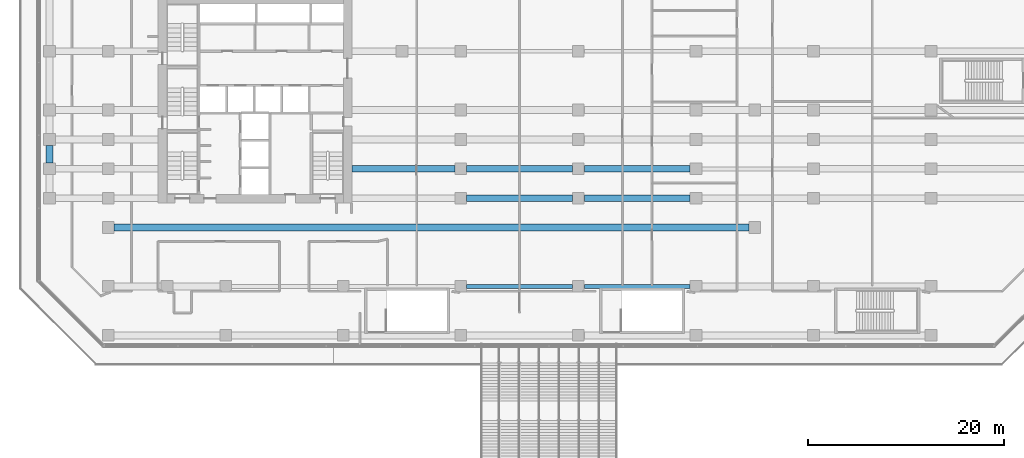
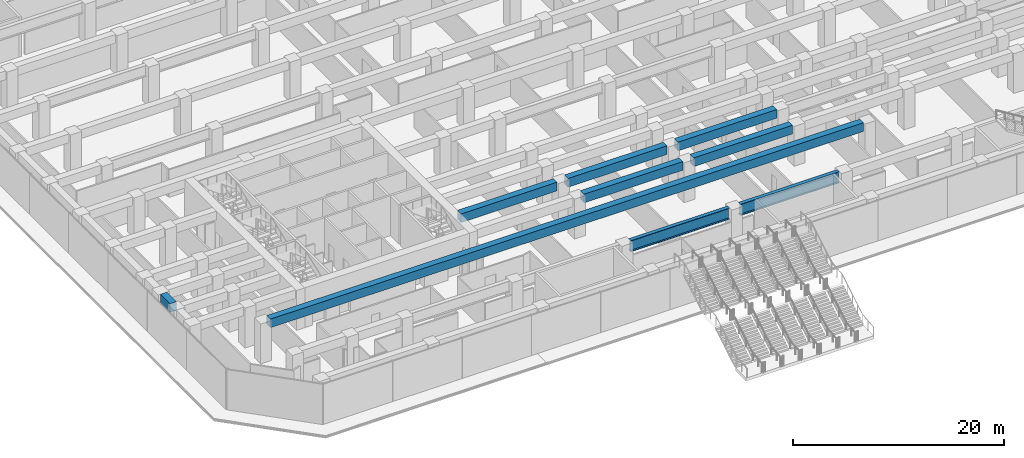
# One storey, part 6 of 40: 9 beams.
"""IFC4 building model written with IfcOpenShell, lengths in metres."""

from ifc_helpers import new_model, si_unit, direction, frame, origin, origin_2d, place, context, subcontext, project, spatial, rectangle, i_section, extrude, material, material_profile, profile_set, type_object, element, save


model = new_model("IFC4")

# Units and contexts
model_context = context("Model", 3, precision=1e-05, world=origin(), true_north=direction((0.0, 1.0)))
body_context = subcontext(model_context, "Body", "Model", "MODEL_VIEW")
ifc_project = project(units=[si_unit("LENGTHUNIT", "METRE"), si_unit("AREAUNIT", "SQUARE_METRE"), si_unit("VOLUMEUNIT", "CUBIC_METRE"), si_unit("PLANEANGLEUNIT", "RADIAN"), si_unit("MASSUNIT", "GRAM", prefix="KILO")], contexts=[model_context])

# Site, building, storey
site_placement = place(None, origin())
site = spatial("IfcSite", under=ifc_project, at=site_placement, CompositionType="ELEMENT")
building_placement = place(site_placement, origin())
building = spatial("IfcBuilding", under=site, at=building_placement, Name="Welwitschia Terrace Campus", CompositionType="ELEMENT")
storey_placement = place(building_placement, frame((0.0, 0.0, 6.0)))
storey = spatial("IfcBuildingStorey", under=building, at=storey_placement, Name="L01", CompositionType="ELEMENT", Elevation=6.0)

# Beams
ifc_material_1 = material(Name="Concrete C60/75", Category="concrete")
ifc_material_profile_1 = material_profile(ifc_material_1, rectangle(XDim=0.699951171875, YDim=1.0, at=origin_2d()))
ifc_profile_set_1 = profile_set([ifc_material_profile_1], Name="Concrete C60/75")
beam_type_1 = type_object("IfcBeamType", Name="Base block beam 700x1000", PredefinedType="BEAM", material=ifc_profile_set_1)
beam_1_placement = place(storey_placement, frame((0.6005859375, 2.0, 4.10009765625), z_axis=(1.0, 0.0, 0.0), x_axis=(0.0, 1.0, 0.0)))
element("IfcBeam", 1, at=beam_1_placement, inside=storey, type_object=beam_type_1, Name="Beam BB1", PredefinedType="BEAM", context=body_context, shape_type="SweptSolid", body=[
    extrude(rectangle(XDim=0.699951171875, YDim=1.0, at=origin_2d()), origin(), (0.0, 0.0, 1.0), 64.798828125),
])
for number, where, z_axis, x_axis, name in (
    (2, (36.6005859375, 5.0, 4.10009765625), (1.0, 0.0, 0.0), (0.0, 1.0, 0.0), "Beam BB1"),
    (3, (48.6005859375, 5.0, 4.10009765625), (1.0, 0.0, 0.0), (0.0, 1.0, 0.0), "Beam BB1"),
):
    element("IfcBeam", number, at=place(storey_placement, frame(where, z_axis=z_axis, x_axis=x_axis)), inside=storey, type_object=beam_type_1, Name=name, PredefinedType="BEAM", context=body_context, shape_type="SweptSolid", body=[
        extrude(rectangle(XDim=0.699951171875, YDim=1.0, at=origin_2d()), origin(), (0.0, 0.0, 1.0), 10.798828125),
    ])
beam_2_placement = place(storey_placement, frame((24.89990234375, 8.0, 4.10009765625), z_axis=(1.0, 0.0, 0.0), x_axis=(0.0, 1.0, 0.0)))
element("IfcBeam", 4, at=beam_2_placement, inside=storey, type_object=beam_type_1, Name="Beam BB1", PredefinedType="BEAM", context=body_context, shape_type="SweptSolid", body=[
    extrude(rectangle(XDim=0.699951171875, YDim=1.0, at=origin_2d()), origin(), (0.0, 0.0, 1.0), 10.49951171875),
])
for number, where, z_axis, x_axis, name in (
    (5, (36.6005859375, 8.0, 4.10009765625), (1.0, 0.0, 0.0), (0.0, 1.0, 0.0), "Beam BB1"),
    (6, (48.6005859375, 8.0, 4.10009765625), (1.0, 0.0, 0.0), (0.0, 1.0, 0.0), "Beam BB1"),
):
    element("IfcBeam", number, at=place(storey_placement, frame(where, z_axis=z_axis, x_axis=x_axis)), inside=storey, type_object=beam_type_1, Name=name, PredefinedType="BEAM", context=body_context, shape_type="SweptSolid", body=[
        extrude(rectangle(XDim=0.699951171875, YDim=1.0, at=origin_2d()), origin(), (0.0, 0.0, 1.0), 10.798828125),
    ])
beam_3_placement = place(storey_placement, frame((-6.0, 8.6005859375, 4.10009765625), z_axis=(0.0, 1.0, 0.0), x_axis=(-1.0, 0.0, 0.0)))
element("IfcBeam", 7, at=beam_3_placement, inside=storey, type_object=beam_type_1, Name="Beam BB1", PredefinedType="BEAM", context=body_context, shape_type="SweptSolid", body=[
    extrude(rectangle(XDim=0.699951171875, YDim=1.0, at=origin_2d()), origin(), (0.0, 0.0, 1.0), 1.798828125),
])
ifc_material_2 = material(Name="Steel S355", Category="steel")
ifc_material_profile_2 = material_profile(ifc_material_2, i_section(OverallWidth=0.39990234375, OverallDepth=1.300048828125, WebThickness=0.02490234375, FlangeThickness=0.0400390625, at=origin_2d()))
ifc_profile_set_2 = profile_set([ifc_material_profile_2], Name="Steel S355")
beam_type_2 = type_object("IfcBeamType", Name="Transfer girder WI 1300x400x25x40", PredefinedType="BEAM", material=ifc_profile_set_2)
for number, where, z_axis, x_axis, name in (
    (8, (36.6005859375, -4.0, 3.949951171875), (1.0, 0.0, 0.0), (0.0, 1.0, 0.0), "Transfer girder TG1"),
    (9, (48.6005859375, -4.0, 3.949951171875), (1.0, 0.0, 0.0), (0.0, 1.0, 0.0), "Transfer girder TG1"),
):
    element("IfcBeam", number, at=place(storey_placement, frame(where, z_axis=z_axis, x_axis=x_axis)), inside=storey, type_object=beam_type_2, Name=name, PredefinedType="BEAM", context=body_context, shape_type="SweptSolid", body=[
        extrude(i_section(OverallWidth=0.39990234375, OverallDepth=1.300048828125, WebThickness=0.02490234375, FlangeThickness=0.0400390625, at=origin_2d()), origin(), (0.0, 0.0, 1.0), 10.798828125),
    ])

save(model, "model.ifc")
